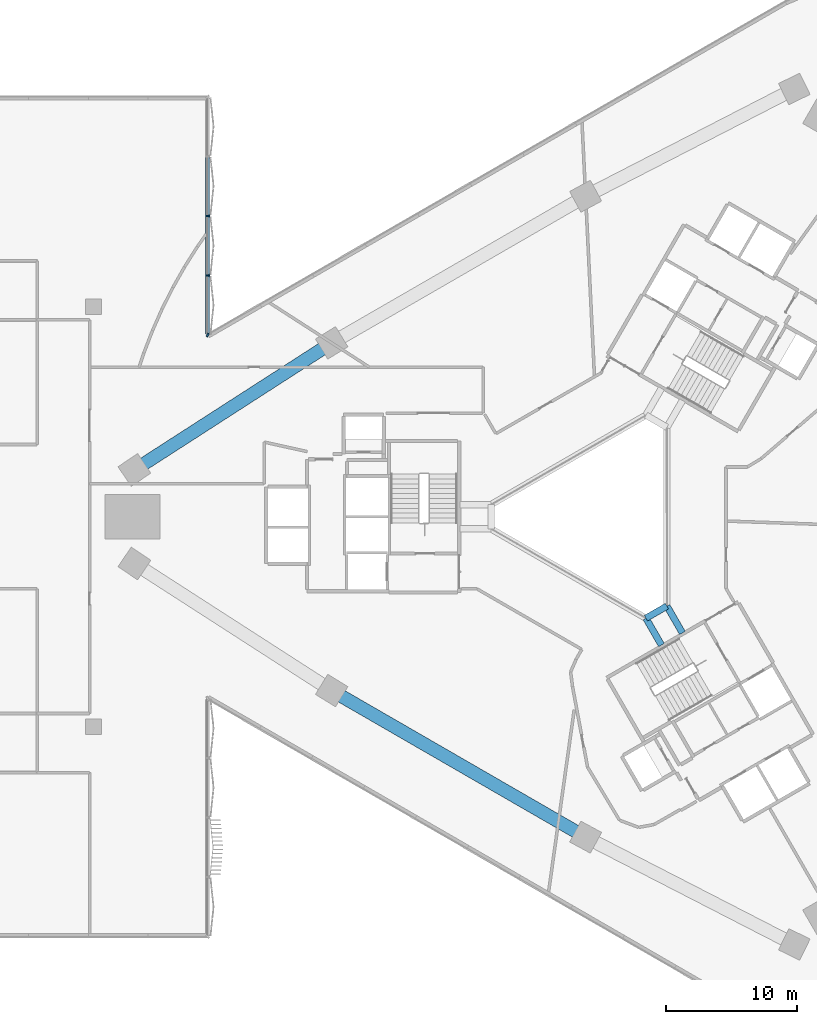
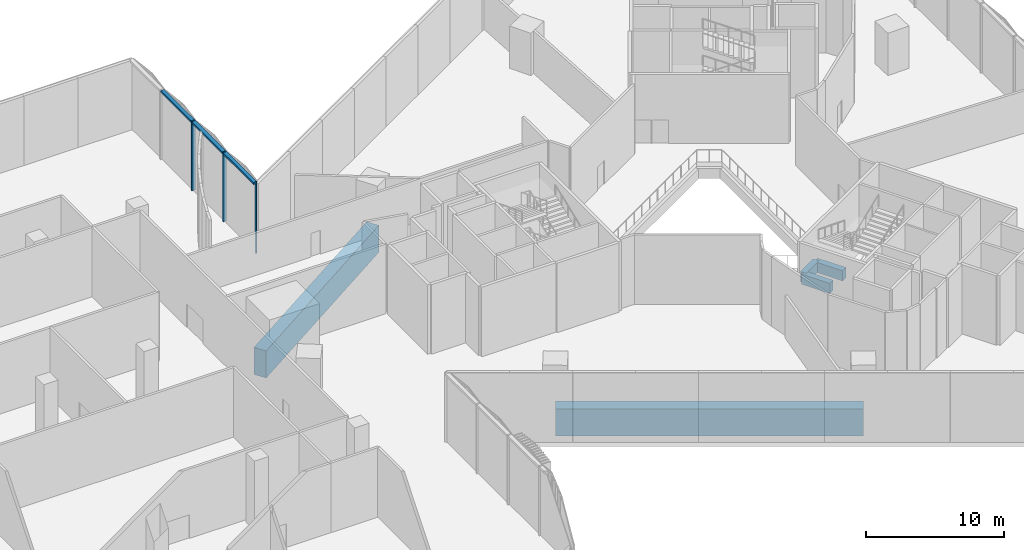
# One storey, part 5 of 32: 5 beams, 4 members, 1 element without a shape of its own.
"""IFC4 building model written with IfcOpenShell, lengths in metres."""

from ifc_helpers import new_model, si_unit, direction, frame, origin, origin_2d, place, context, subcontext, project, spatial, rectangle, extrude, material, material_profile, profile_set, type_object, element, aggregate, save


model = new_model("IFC4")

# Units and contexts
model_context = context("Model", 3, precision=1e-05, world=origin(), true_north=direction((0.0, 1.0)))
body_context = subcontext(model_context, "Body", "Model", "MODEL_VIEW")
ifc_project = project(units=[si_unit("LENGTHUNIT", "METRE"), si_unit("AREAUNIT", "SQUARE_METRE"), si_unit("VOLUMEUNIT", "CUBIC_METRE"), si_unit("PLANEANGLEUNIT", "RADIAN"), si_unit("MASSUNIT", "GRAM", prefix="KILO")], contexts=[model_context])

# Site, building, storey
site_placement = place(None, origin())
site = spatial("IfcSite", under=ifc_project, at=site_placement, CompositionType="ELEMENT")
building_placement = place(site_placement, origin())
building = spatial("IfcBuilding", under=site, at=building_placement, Name="Tamra Quay Hotel Tower", CompositionType="ELEMENT")
storey_placement = place(building_placement, frame((0.0, 0.0, 7.5)))
storey = spatial("IfcBuildingStorey", under=building, at=storey_placement, Name="L01", CompositionType="ELEMENT", Elevation=7.5)

# Beams
ifc_material_1 = material(Name="Concrete M60", Category="concrete")
ifc_material_profile_1 = material_profile(ifc_material_1, rectangle(XDim=0.5, YDim=0.89990234375, at=origin_2d()), Name="ATRIUM EDGE BEAM RC 500x900")
ifc_profile_set_1 = profile_set([ifc_material_profile_1], Name="Concrete M60")
beam_type_1 = type_object("IfcBeamType", Name="ATRIUM EDGE BEAM RC 500x900", PredefinedType="BEAM", material=ifc_profile_set_1)
beam_1_placement = place(storey_placement, frame((5.0, -6.812744140625, -0.85009765625), z_axis=(-0.86602275259, -0.500004591975, 0.0), x_axis=(0.500004591975, -0.86602275259, 0.0)))
element("IfcBeam", 1, at=beam_1_placement, inside=storey, type_object=beam_type_1, Name="BM-AB1-L01", PredefinedType="BEAM", context=body_context, shape_type="SweptSolid", body=[
    extrude(rectangle(XDim=0.5, YDim=0.89990234375, at=origin_2d()), origin(), (0.0, 0.0, 1.0), 1.84765625),
])
ifc_material_profile_2 = material_profile(ifc_material_1, rectangle(XDim=0.5, YDim=0.89990234375, at=origin_2d()), Name="ATRIUM TIE BEAM RC 500x900")
ifc_profile_set_2 = profile_set([ifc_material_profile_2], Name="Concrete M60")
beam_type_2 = type_object("IfcBeamType", Name="ATRIUM TIE BEAM RC 500x900", PredefinedType="BEAM", material=ifc_profile_set_2)
for number, where, z_axis, x_axis, name in (
    (2, (5.0, -6.812744140625, -0.85009765625), (0.500029618126, -0.866008303076, 0.0), (0.866008303076, 0.500029618126, 0.0), "BM-TIE-1-L01"),
    (3, (3.39990234375, -7.736572265625, -0.85009765625), (0.500029618126, -0.866008303076, 0.0), (0.866008303076, 0.500029618126, 0.0), "BM-TIE-2-L01"),
):
    element("IfcBeam", number, at=place(storey_placement, frame(where, z_axis=z_axis, x_axis=x_axis)), inside=storey, type_object=beam_type_2, Name=name, PredefinedType="BEAM", context=body_context, shape_type="SweptSolid", body=[
        extrude(rectangle(XDim=0.5, YDim=0.89990234375, at=origin_2d()), origin(), (0.0, 0.0, 1.0), 2.362060546875),
    ])

# Curtain wall, members
ifc_material_2 = material(Name="Aluminium 6063 anodised dark grey", Category="aluminium")
curtain_wall_type = type_object("IfcCurtainWallType", Name="CW4 CURTAIN WALL", PredefinedType="NOTDEFINED", material=ifc_material_2)
curtain_wall_placement = place(storey_placement, origin())
curtain_wall = element("IfcCurtainWall", 4, at=curtain_wall_placement, inside=storey, type_object=curtain_wall_type, Name="CW4 east face L01", PredefinedType="NOTDEFINED")
ifc_material_profile_3 = material_profile(ifc_material_2, rectangle(XDim=0.300048828125, YDim=0.1201171875, at=origin_2d()), Name="MULLION 120X300")
ifc_profile_set_3 = profile_set([ifc_material_profile_3], Name="Aluminium 6063 anodised dark grey")
member_type_1 = type_object("IfcMemberType", Name="MULLION CW4", PredefinedType="MULLION", material=ifc_profile_set_3)
member_1_placement = place(storey_placement, frame((-30.0, 13.8564453125, 0.0), z_axis=(0.0, 0.0, 1.0), x_axis=(0.500164184883, 0.865930590845, 0.0)))
member_1 = element("IfcMember", 5, at=member_1_placement, type_object=member_type_1, Name="CW4 mullion L01.E.18", PredefinedType="MULLION", context=body_context, shape_type="SweptSolid", body=[
    extrude(rectangle(XDim=0.300048828125, YDim=0.1201171875, at=origin_2d()), origin(), (0.0, 0.0, 1.0), 6.14990234375),
])
member_2_placement = place(storey_placement, frame((-30.0, 18.392333984375, 0.0), z_axis=(0.0, 0.0, 1.0), x_axis=(1.0, 0.0, 0.0)))
member_2 = element("IfcMember", 6, at=member_2_placement, type_object=member_type_1, Name="CW4 mullion L01.E.19", PredefinedType="MULLION", context=body_context, shape_type="SweptSolid", body=[
    extrude(rectangle(XDim=0.300048828125, YDim=0.1201171875, at=origin_2d()), origin(), (0.0, 0.0, 1.0), 6.14990234375),
])
member_3_placement = place(storey_placement, frame((-30.0, 22.92822265625, 0.0), z_axis=(0.0, 0.0, 1.0), x_axis=(1.0, 0.0, 0.0)))
member_3 = element("IfcMember", 7, at=member_3_placement, type_object=member_type_1, Name="CW4 mullion L01.E.20", PredefinedType="MULLION", context=body_context, shape_type="SweptSolid", body=[
    extrude(rectangle(XDim=0.300048828125, YDim=0.1201171875, at=origin_2d()), origin(), (0.0, 0.0, 1.0), 6.14990234375),
])

# Beams
ifc_material_profile_4 = material_profile(ifc_material_1, rectangle(XDim=1.0, YDim=2.39990234375, at=origin_2d()), Name="PODIUM RING GIRDER RC 1000x2400")
ifc_profile_set_4 = profile_set([ifc_material_profile_4], Name="Concrete M60")
beam_type_3 = type_object("IfcBeamType", Name="PODIUM RING GIRDER RC 1000x2400", PredefinedType="BEAM", material=ifc_profile_set_4)
beam_2_placement = place(storey_placement, frame((-20.552001953125, 13.248046875, -1.60009765625), z_axis=(-0.840663037387, -0.541558544915, 0.0), x_axis=(0.541558544915, -0.840663037387, 0.0)))
element("IfcBeam", 8, at=beam_2_placement, inside=storey, type_object=beam_type_3, Name="BM-PG006-L01", PredefinedType="BEAM", context=body_context, shape_type="SweptSolid", body=[
    extrude(rectangle(XDim=1.0, YDim=2.39990234375, at=origin_2d()), origin(), (0.0, 0.0, 1.0), 17.880615234375),
])
beam_3_placement = place(storey_placement, frame((-20.552001953125, -13.248046875, -1.60009765625), z_axis=(0.866023498866, -0.500003299401, 0.0), x_axis=(0.500003299401, 0.866023498866, 0.0)))
element("IfcBeam", 9, at=beam_3_placement, inside=storey, type_object=beam_type_3, Name="BM-PG008-L01", PredefinedType="BEAM", context=body_context, shape_type="SweptSolid", body=[
    extrude(rectangle(XDim=1.0, YDim=2.39990234375, at=origin_2d()), origin(), (0.0, 0.0, 1.0), 22.348876953125),
])

# Member
ifc_material_profile_5 = material_profile(ifc_material_2, rectangle(XDim=0.300048828125, YDim=0.179931640625, at=origin_2d()), Name="TRANSOM 300X180")
ifc_profile_set_5 = profile_set([ifc_material_profile_5], Name="Aluminium 6063 anodised dark grey")
member_type_2 = type_object("IfcMemberType", Name="TRANSOM CW4", PredefinedType="USERDEFINED", material=ifc_profile_set_5)
member_4_placement = place(storey_placement, frame((-30.0, 13.91650390625, 6.06005859375), z_axis=(0.0, 1.0, 0.0), x_axis=(-1.0, 0.0, 0.0)))
member_4 = element("IfcMember", 10, at=member_4_placement, type_object=member_type_2, Name="CW4 transom L01.E.18", ObjectType="TRANSOM", PredefinedType="USERDEFINED", context=body_context, shape_type="SweptSolid", body=[
    extrude(rectangle(XDim=0.300048828125, YDim=0.179931640625, at=origin_2d()), origin(), (0.0, 0.0, 1.0), 13.487548828125),
])

aggregate(curtain_wall, [member_1, member_4, member_2, member_3])

save(model, "model.ifc")
